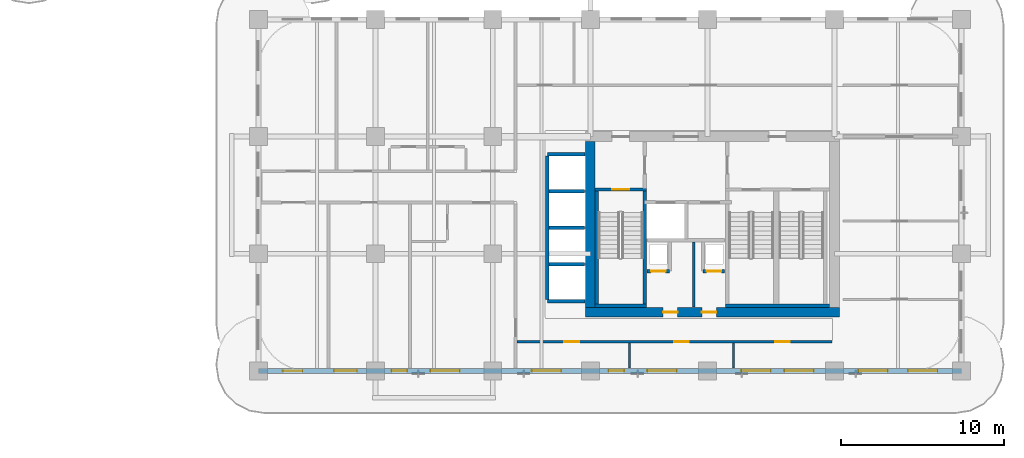
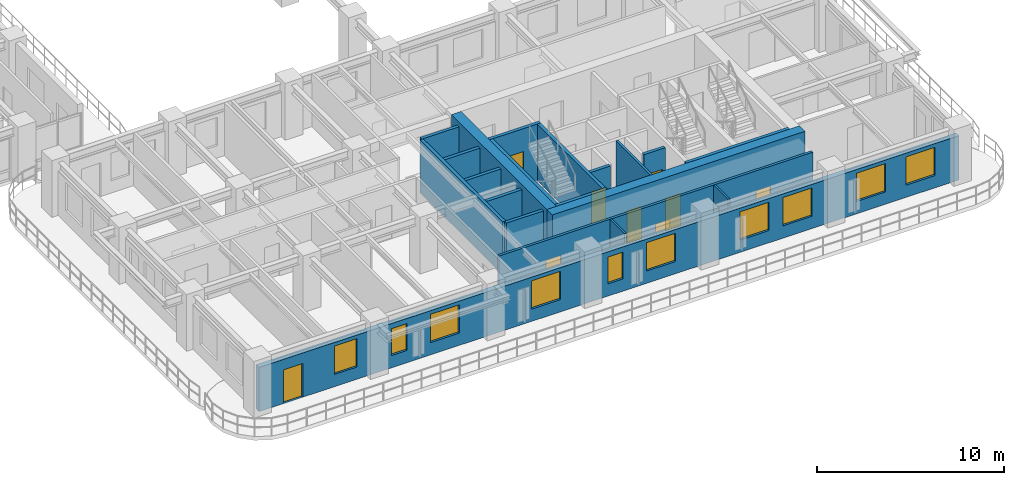
# One storey, part 8 of 19: 20 walls, 10 windows, 9 doors, 19 openings.
"""IFC4 building model written with IfcOpenShell, lengths in metres."""

from ifc_helpers import new_model, si_unit, derived_unit, direction, frame, frame_2d, origin, place, context, subcontext, project, spatial, rectangle, extrude, source, transform, mapped, material, layer, layer_set, type_object, type_shapes, element, fill, save


model = new_model("IFC4")

# Units and contexts
model_context = context("Model", 3, precision=1e-05, world=origin(), true_north=direction((0.0, 1.0)))
body_context = subcontext(model_context, "Body", "Model", "MODEL_VIEW")
ifc_project = project(units=[si_unit("LENGTHUNIT", "METRE"), si_unit("AREAUNIT", "SQUARE_METRE"), si_unit("VOLUMEUNIT", "CUBIC_METRE"), si_unit("PLANEANGLEUNIT", "RADIAN"), si_unit("MASSUNIT", "GRAM", prefix="KILO"), si_unit("THERMODYNAMICTEMPERATUREUNIT", "KELVIN"), si_unit("POWERUNIT", "WATT"), derived_unit("THERMALTRANSMITTANCEUNIT", [(si_unit("POWERUNIT", "WATT"), 1), (si_unit("AREAUNIT", "SQUARE_METRE"), -1), (si_unit("THERMODYNAMICTEMPERATUREUNIT", "KELVIN"), -1)])], contexts=[model_context])

# Site, building, storey
site_placement = place(None, origin())
site = spatial("IfcSite", under=ifc_project, at=site_placement, CompositionType="ELEMENT")
building_placement = place(site_placement, origin())
building = spatial("IfcBuilding", under=site, at=building_placement, Name="Zahravan Archway Hotel and Residences", CompositionType="ELEMENT")
storey_placement = place(building_placement, frame((0.0, 0.0, 54.60009765625)))
storey = spatial("IfcBuildingStorey", under=building, at=storey_placement, Name="L12", CompositionType="ELEMENT", Elevation=54.60009765625)

# Wall, openings, doors
ifc_material_1 = material(Name="Concrete C70/85", Category="concrete")
ifc_layer_1 = layer(ifc_material_1, 0.60009765625, Name="Concrete C70/85", Category="concrete")
ifc_layer_set_1 = layer_set([ifc_layer_1], Name="Concrete C70/85")
wall_type_1 = type_object("IfcWallType", Name="CW-CORE-600", PredefinedType="SHEAR", material=ifc_layer_set_1)
wall_1_placement = place(storey_placement, frame((34.5, 3.60009765625, 0.0), z_axis=(0.0, 0.0, 1.0), x_axis=(1.0, 0.0, 0.0)))
wall_1 = element("IfcWall", 1, at=wall_1_placement, inside=storey, type_object=wall_type_1, Name="L12 Core A Shear S Wall 600 mm", PredefinedType="SHEAR", context=body_context, shape_type="SweptSolid", body=[
    extrude(rectangle(XDim=15.60009765625, YDim=0.60009765625, at=frame_2d((7.800048828125, 0.0))), origin(), (0.0, 0.0, 1.0), 3.699951171875),
])
opening_1_placement = place(wall_1_placement, frame((4.77001953125, 0.0, 0.0)))
opening_1 = element("IfcOpeningElement", 2, at=opening_1_placement, cuts=wall_1, Name="Opening FD-R1", PredefinedType="OPENING", context=body_context, shape_type="SweptSolid", body=[
    extrude(rectangle(XDim=0.89990234375, YDim=2.10009765625, at=frame_2d((0.449951171875, 1.050048828125))), frame((0.0, 0.31005859375, 0.0), z_axis=(0.0, -1.0, 0.0), x_axis=(1.0, 0.0, 0.0)), (0.0, 0.0, 1.0), 0.6201171875),
])
opening_2_placement = place(wall_1_placement, frame((7.14990234375, 0.0, 0.0)))
opening_2 = element("IfcOpeningElement", 3, at=opening_2_placement, cuts=wall_1, Name="Opening FD-R1", PredefinedType="OPENING", context=body_context, shape_type="SweptSolid", body=[
    extrude(rectangle(XDim=0.89990234375, YDim=2.10009765625, at=frame_2d((0.449951171875, 1.050048828125))), frame((0.0, 0.31005859375, 0.0), z_axis=(0.0, -1.0, 0.0), x_axis=(1.0, 0.0, 0.0)), (0.0, 0.0, 1.0), 0.6201171875),
])
ifc_material_2 = material(Name="Fire-Rated Painted Steel", Category="steel")
door_type_1 = type_object("IfcDoorType", Name="FD-RISER-900", OperationType="NOTDEFINED", PredefinedType="DOOR", material=ifc_material_2)
shared_shape_1 = source(origin(), body_context, "Body", "SweptSolid", [
    extrude(rectangle(XDim=0.89990234375, YDim=2.10009765625, at=frame_2d((0.449951171875, 1.050048828125))), frame((0.0, 0.02490234375, 0.0), z_axis=(0.0, -1.0, 0.0), x_axis=(1.0, 0.0, 0.0)), (0.0, 0.0, 1.0), 0.050048828125),
])
type_shapes(door_type_1, [shared_shape_1])
door_1_placement = place(opening_1_placement, origin())
door_1 = element("IfcDoor", 4, at=door_1_placement, inside=storey, type_object=door_type_1, Name="L12 Fan Room Door", OperationType="SINGLE_SWING_RIGHT", OverallHeight=2.10009765625, OverallWidth=0.89990234375, PredefinedType="DOOR", context=body_context, shape_type="MappedRepresentation", body=[
    mapped(shared_shape_1, transform((0.0, 0.0, 0.0), scale=1.0)),
])
fill(opening_1, door_1)
door_2_placement = place(opening_2_placement, origin())
door_2 = element("IfcDoor", 5, at=door_2_placement, inside=storey, type_object=door_type_1, Name="L12 Sub-Meter Cupboard Door", OperationType="SINGLE_SWING_LEFT", OverallHeight=2.10009765625, OverallWidth=0.89990234375, PredefinedType="DOOR", context=body_context, shape_type="MappedRepresentation", body=[
    mapped(shared_shape_1, transform((0.0, 0.0, 0.0), scale=1.0)),
])
fill(opening_2, door_2)

# Wall
wall_2_placement = place(storey_placement, frame((34.800048828125, 3.89990234375, 0.0), z_axis=(0.0, 0.0, 1.0), x_axis=(0.0, 1.0, 0.0)))
element("IfcWall", 6, at=wall_2_placement, inside=storey, type_object=wall_type_1, Name="L12 Core A Shear W Wall 600 mm", PredefinedType="SHEAR", context=body_context, shape_type="SweptSolid", body=[
    extrude(rectangle(XDim=10.2001953125, YDim=0.60009765625, at=frame_2d((5.10009765625, 0.0))), origin(), (0.0, 0.0, 1.0), 3.699951171875),
])

# Wall, openings, door, windows
ifc_material_3 = material(Name="Agra Buff Sandstone & Insulated Backup", Category="masonry")
ifc_layer_2 = layer(ifc_material_3, 0.320068359375, Name="Agra Buff Sandstone & Insulated Backup", Category="masonry")
ifc_layer_set_2 = layer_set([ifc_layer_2], Name="Agra Buff Sandstone & Insulated Backup")
wall_type_2 = type_object("IfcWallType", Name="EW-SAND-320", PredefinedType="SOLIDWALL", material=ifc_layer_set_2)
wall_3_placement = place(storey_placement, frame((14.39990234375, 0.0, 0.0), z_axis=(0.0, 0.0, 1.0), x_axis=(1.0, 0.0, 0.0)))
wall_3 = element("IfcWall", 7, at=wall_3_placement, inside=storey, type_object=wall_type_2, Name="L12 Exterior Sandstone Wall WA-S", PredefinedType="SOLIDWALL", context=body_context, shape_type="SweptSolid", body=[
    extrude(rectangle(XDim=43.2001953125, YDim=0.320068359375, at=frame_2d((21.60009765625, 0.0))), origin(), (0.0, 0.0, 1.0), 2.885009765625),
])
opening_3_placement = place(wall_3_placement, frame((1.5, 0.0, 0.0)))
opening_3 = element("IfcOpeningElement", 8, at=opening_3_placement, cuts=wall_3, Name="Opening ED-BL1", PredefinedType="OPENING", context=body_context, shape_type="SweptSolid", body=[
    extrude(rectangle(XDim=1.199951171875, YDim=2.199951171875, at=frame_2d((0.60009765625, 1.10009765625))), frame((0.0, 0.169921875, 0.0), z_axis=(0.0, -1.0, 0.0), x_axis=(1.0, 0.0, 0.0)), (0.0, 0.0, 1.0), 0.340087890625),
])
opening_4_placement = place(wall_3_placement, frame((4.654052734375, 0.0, 0.800048828125)))
opening_4 = element("IfcOpeningElement", 9, at=opening_4_placement, cuts=wall_3, Name="Opening W-03", PredefinedType="OPENING", context=body_context, shape_type="SweptSolid", body=[
    extrude(rectangle(XDim=1.39990234375, YDim=1.85009765625, at=frame_2d((0.699951171875, 0.925048828125))), frame((0.0, 0.169921875, 0.0), z_axis=(0.0, -1.0, 0.0), x_axis=(1.0, 0.0, 0.0)), (0.0, 0.0, 1.0), 0.340087890625),
])
opening_5_placement = place(wall_3_placement, frame((8.180908203125, 0.0, 0.800048828125)))
opening_5 = element("IfcOpeningElement", 10, at=opening_5_placement, cuts=wall_3, Name="Opening W-04", PredefinedType="OPENING", context=body_context, shape_type="SweptSolid", body=[
    extrude(rectangle(XDim=0.949951171875, YDim=1.75, at=frame_2d((0.47509765625, 0.875))), frame((0.0, 0.169921875, 0.0), z_axis=(0.0, -1.0, 0.0), x_axis=(1.0, 0.0, 0.0)), (0.0, 0.0, 1.0), 0.340087890625),
])
opening_6_placement = place(wall_3_placement, frame((10.56396484375, 0.0, 0.800048828125)))
opening_6 = element("IfcOpeningElement", 11, at=opening_6_placement, cuts=wall_3, Name="Opening W-02", PredefinedType="OPENING", context=body_context, shape_type="SweptSolid", body=[
    extrude(rectangle(XDim=1.800048828125, YDim=1.85009765625, at=frame_2d((0.89990234375, 0.925048828125))), frame((0.0, 0.169921875, 0.0), z_axis=(0.0, -1.0, 0.0), x_axis=(1.0, 0.0, 0.0)), (0.0, 0.0, 1.0), 0.340087890625),
])
opening_7_placement = place(wall_3_placement, frame((16.803955078125, 0.0, 0.800048828125)))
opening_7 = element("IfcOpeningElement", 12, at=opening_7_placement, cuts=wall_3, Name="Opening W-02", PredefinedType="OPENING", context=body_context, shape_type="SweptSolid", body=[
    extrude(rectangle(XDim=1.800048828125, YDim=1.85009765625, at=frame_2d((0.89990234375, 0.925048828125))), frame((0.0, 0.169921875, 0.0), z_axis=(0.0, -1.0, 0.0), x_axis=(1.0, 0.0, 0.0)), (0.0, 0.0, 1.0), 0.340087890625),
])
opening_8_placement = place(wall_3_placement, frame((21.52099609375, 0.0, 0.800048828125)))
opening_8 = element("IfcOpeningElement", 13, at=opening_8_placement, cuts=wall_3, Name="Opening W-04", PredefinedType="OPENING", context=body_context, shape_type="SweptSolid", body=[
    extrude(rectangle(XDim=0.949951171875, YDim=1.75, at=frame_2d((0.47509765625, 0.875))), frame((0.0, 0.169921875, 0.0), z_axis=(0.0, -1.0, 0.0), x_axis=(1.0, 0.0, 0.0)), (0.0, 0.0, 1.0), 0.340087890625),
])
opening_9_placement = place(wall_3_placement, frame((23.904052734375, 0.0, 0.800048828125)))
opening_9 = element("IfcOpeningElement", 14, at=opening_9_placement, cuts=wall_3, Name="Opening W-02", PredefinedType="OPENING", context=body_context, shape_type="SweptSolid", body=[
    extrude(rectangle(XDim=1.800048828125, YDim=1.85009765625, at=frame_2d((0.89990234375, 0.925048828125))), frame((0.0, 0.169921875, 0.0), z_axis=(0.0, -1.0, 0.0), x_axis=(1.0, 0.0, 0.0)), (0.0, 0.0, 1.0), 0.340087890625),
])
opening_10_placement = place(wall_3_placement, frame((29.680908203125, 0.0, 0.800048828125)))
opening_10 = element("IfcOpeningElement", 15, at=opening_10_placement, cuts=wall_3, Name="Opening W-02", PredefinedType="OPENING", context=body_context, shape_type="SweptSolid", body=[
    extrude(rectangle(XDim=1.800048828125, YDim=1.85009765625, at=frame_2d((0.89990234375, 0.925048828125))), frame((0.0, 0.169921875, 0.0), z_axis=(0.0, -1.0, 0.0), x_axis=(1.0, 0.0, 0.0)), (0.0, 0.0, 1.0), 0.340087890625),
])
opening_11_placement = place(wall_3_placement, frame((32.326904296875, 0.0, 0.800048828125)))
opening_11 = element("IfcOpeningElement", 16, at=opening_11_placement, cuts=wall_3, Name="Opening W-02", PredefinedType="OPENING", context=body_context, shape_type="SweptSolid", body=[
    extrude(rectangle(XDim=1.800048828125, YDim=1.85009765625, at=frame_2d((0.89990234375, 0.925048828125))), frame((0.0, 0.169921875, 0.0), z_axis=(0.0, -1.0, 0.0), x_axis=(1.0, 0.0, 0.0)), (0.0, 0.0, 1.0), 0.340087890625),
])
opening_12_placement = place(wall_3_placement, frame((36.875, 0.0, 0.800048828125)))
opening_12 = element("IfcOpeningElement", 17, at=opening_12_placement, cuts=wall_3, Name="Opening W-02", PredefinedType="OPENING", context=body_context, shape_type="SweptSolid", body=[
    extrude(rectangle(XDim=1.800048828125, YDim=1.85009765625, at=frame_2d((0.89990234375, 0.925048828125))), frame((0.0, 0.169921875, 0.0), z_axis=(0.0, -1.0, 0.0), x_axis=(1.0, 0.0, 0.0)), (0.0, 0.0, 1.0), 0.340087890625),
])
opening_13_placement = place(wall_3_placement, frame((39.925048828125, 0.0, 0.800048828125)))
opening_13 = element("IfcOpeningElement", 18, at=opening_13_placement, cuts=wall_3, Name="Opening W-02", PredefinedType="OPENING", context=body_context, shape_type="SweptSolid", body=[
    extrude(rectangle(XDim=1.800048828125, YDim=1.85009765625, at=frame_2d((0.89990234375, 0.925048828125))), frame((0.0, 0.169921875, 0.0), z_axis=(0.0, -1.0, 0.0), x_axis=(1.0, 0.0, 0.0)), (0.0, 0.0, 1.0), 0.340087890625),
])
ifc_material_4 = material(Name="Bronze-Anodized Glazed Aluminium", Category="aluminium")
door_type_2 = type_object("IfcDoorType", Name="ED-BALC-1200", OperationType="SLIDING_TO_LEFT", PredefinedType="DOOR", material=ifc_material_4)
shared_shape_2 = source(origin(), body_context, "Body", "SweptSolid", [
    extrude(rectangle(XDim=1.199951171875, YDim=2.199951171875, at=frame_2d((0.60009765625, 1.10009765625))), frame((0.0, 0.02490234375, 0.0), z_axis=(0.0, -1.0, 0.0), x_axis=(1.0, 0.0, 0.0)), (0.0, 0.0, 1.0), 0.050048828125),
])
type_shapes(door_type_2, [shared_shape_2])
door_3_placement = place(opening_3_placement, origin())
door_3 = element("IfcDoor", 19, at=door_3_placement, inside=storey, type_object=door_type_2, Name="L12 Outdoor Access Sliding Door (SLB-BAL-L12-SA)", OperationType="SLIDING_TO_LEFT", OverallHeight=2.199951171875, OverallWidth=1.199951171875, PredefinedType="DOOR", context=body_context, shape_type="MappedRepresentation", body=[
    mapped(shared_shape_2, transform((0.0, 0.0, 0.0), scale=1.0)),
])
fill(opening_3, door_3)
ifc_material_5 = material(Name="Bronze-Anodized Thermal-Break Aluminium & Low-E Glass", Category="aluminium")
window_type_1 = type_object("IfcWindowType", Name="WIN-TWR-1400", PartitioningType="SINGLE_PANEL", PredefinedType="WINDOW", material=ifc_material_5)
shared_shape_3 = source(origin(), body_context, "Body", "SweptSolid", [
    extrude(rectangle(XDim=1.39990234375, YDim=1.85009765625, at=frame_2d((0.699951171875, 0.925048828125))), frame((0.0, 0.030029296875, 0.0), z_axis=(0.0, -1.0, 0.0), x_axis=(1.0, 0.0, 0.0)), (0.0, 0.0, 1.0), 0.06005859375),
])
type_shapes(window_type_1, [shared_shape_3])
window_1_placement = place(opening_4_placement, origin())
window_1 = element("IfcWindow", 20, at=window_1_placement, inside=storey, type_object=window_type_1, Name="L12 Loggia Window 01", OverallHeight=1.85009765625, OverallWidth=1.39990234375, PartitioningType="SINGLE_PANEL", PredefinedType="WINDOW", context=body_context, shape_type="MappedRepresentation", body=[
    mapped(shared_shape_3, transform((0.0, 0.0, 0.0), scale=1.0)),
])
fill(opening_4, window_1)
window_type_2 = type_object("IfcWindowType", Name="WIN-NAR-950", PartitioningType="SINGLE_PANEL", PredefinedType="WINDOW", material=ifc_material_5)
shared_shape_4 = source(origin(), body_context, "Body", "SweptSolid", [
    extrude(rectangle(XDim=0.949951171875, YDim=1.75, at=frame_2d((0.47509765625, 0.875))), frame((0.0, 0.030029296875, 0.0), z_axis=(0.0, -1.0, 0.0), x_axis=(1.0, 0.0, 0.0)), (0.0, 0.0, 1.0), 0.06005859375),
])
type_shapes(window_type_2, [shared_shape_4])
window_2_placement = place(opening_5_placement, origin())
window_2 = element("IfcWindow", 21, at=window_2_placement, inside=storey, type_object=window_type_2, Name="L12 Loggia Window 02", OverallHeight=1.75, OverallWidth=0.949951171875, PartitioningType="SINGLE_PANEL", PredefinedType="WINDOW", context=body_context, shape_type="MappedRepresentation", body=[
    mapped(shared_shape_4, transform((0.0, 0.0, 0.0), scale=1.0)),
])
fill(opening_5, window_2)
window_3_placement = place(opening_8_placement, origin())
window_3 = element("IfcWindow", 22, at=window_3_placement, inside=storey, type_object=window_type_2, Name="L12 Loggia Window 05", OverallHeight=1.75, OverallWidth=0.949951171875, PartitioningType="SINGLE_PANEL", PredefinedType="WINDOW", context=body_context, shape_type="MappedRepresentation", body=[
    mapped(shared_shape_4, transform((0.0, 0.0, 0.0), scale=1.0)),
])
fill(opening_8, window_3)
window_type_3 = type_object("IfcWindowType", Name="WIN-TWR-1800", PartitioningType="DOUBLE_PANEL_VERTICAL", PredefinedType="WINDOW", material=ifc_material_5)
shared_shape_5 = source(origin(), body_context, "Body", "SweptSolid", [
    extrude(rectangle(XDim=1.800048828125, YDim=1.85009765625, at=frame_2d((0.89990234375, 0.925048828125))), frame((0.0, 0.030029296875, 0.0), z_axis=(0.0, -1.0, 0.0), x_axis=(1.0, 0.0, 0.0)), (0.0, 0.0, 1.0), 0.06005859375),
])
type_shapes(window_type_3, [shared_shape_5])
window_4_placement = place(opening_6_placement, origin())
window_4 = element("IfcWindow", 23, at=window_4_placement, inside=storey, type_object=window_type_3, Name="L12 Loggia Window 03", OverallHeight=1.85009765625, OverallWidth=1.800048828125, PartitioningType="DOUBLE_PANEL_VERTICAL", PredefinedType="WINDOW", context=body_context, shape_type="MappedRepresentation", body=[
    mapped(shared_shape_5, transform((0.0, 0.0, 0.0), scale=1.0)),
])
fill(opening_6, window_4)
window_5_placement = place(opening_7_placement, origin())
window_5 = element("IfcWindow", 24, at=window_5_placement, inside=storey, type_object=window_type_3, Name="L12 Loggia Window 04", OverallHeight=1.85009765625, OverallWidth=1.800048828125, PartitioningType="DOUBLE_PANEL_VERTICAL", PredefinedType="WINDOW", context=body_context, shape_type="MappedRepresentation", body=[
    mapped(shared_shape_5, transform((0.0, 0.0, 0.0), scale=1.0)),
])
fill(opening_7, window_5)
window_6_placement = place(opening_9_placement, origin())
window_6 = element("IfcWindow", 25, at=window_6_placement, inside=storey, type_object=window_type_3, Name="L12 Loggia Window 06", OverallHeight=1.85009765625, OverallWidth=1.800048828125, PartitioningType="DOUBLE_PANEL_VERTICAL", PredefinedType="WINDOW", context=body_context, shape_type="MappedRepresentation", body=[
    mapped(shared_shape_5, transform((0.0, 0.0, 0.0), scale=1.0)),
])
fill(opening_9, window_6)
window_7_placement = place(opening_10_placement, origin())
window_7 = element("IfcWindow", 26, at=window_7_placement, inside=storey, type_object=window_type_3, Name="L12 Loggia Window 07", OverallHeight=1.85009765625, OverallWidth=1.800048828125, PartitioningType="DOUBLE_PANEL_VERTICAL", PredefinedType="WINDOW", context=body_context, shape_type="MappedRepresentation", body=[
    mapped(shared_shape_5, transform((0.0, 0.0, 0.0), scale=1.0)),
])
fill(opening_10, window_7)
window_8_placement = place(opening_11_placement, origin())
window_8 = element("IfcWindow", 27, at=window_8_placement, inside=storey, type_object=window_type_3, Name="L12 Loggia Window 08", OverallHeight=1.85009765625, OverallWidth=1.800048828125, PartitioningType="DOUBLE_PANEL_VERTICAL", PredefinedType="WINDOW", context=body_context, shape_type="MappedRepresentation", body=[
    mapped(shared_shape_5, transform((0.0, 0.0, 0.0), scale=1.0)),
])
fill(opening_11, window_8)
window_9_placement = place(opening_12_placement, origin())
window_9 = element("IfcWindow", 28, at=window_9_placement, inside=storey, type_object=window_type_3, Name="L12 Loggia Window 09", OverallHeight=1.85009765625, OverallWidth=1.800048828125, PartitioningType="DOUBLE_PANEL_VERTICAL", PredefinedType="WINDOW", context=body_context, shape_type="MappedRepresentation", body=[
    mapped(shared_shape_5, transform((0.0, 0.0, 0.0), scale=1.0)),
])
fill(opening_12, window_9)
window_10_placement = place(opening_13_placement, origin())
window_10 = element("IfcWindow", 29, at=window_10_placement, inside=storey, type_object=window_type_3, Name="L12 Loggia Window 10", OverallHeight=1.85009765625, OverallWidth=1.800048828125, PartitioningType="DOUBLE_PANEL_VERTICAL", PredefinedType="WINDOW", context=body_context, shape_type="MappedRepresentation", body=[
    mapped(shared_shape_5, transform((0.0, 0.0, 0.0), scale=1.0)),
])
fill(opening_13, window_10)

# Wall, openings, doors
ifc_material_6 = material(Name="Fire-Rated Gypsum & Concrete Block", Category="concrete")
ifc_layer_3 = layer(ifc_material_6, 0.159912109375, Name="Fire-Rated Gypsum & Concrete Block", Category="concrete")
ifc_layer_set_3 = layer_set([ifc_layer_3], Name="Fire-Rated Gypsum & Concrete Block")
wall_type_3 = type_object("IfcWallType", Name="PW-CORR-160", PredefinedType="PARTITIONING", material=ifc_layer_set_3)
wall_4_placement = place(storey_placement, frame((30.2900390625, 1.800048828125, 0.0), z_axis=(0.0, 0.0, 1.0), x_axis=(1.0, 0.0, 0.0)))
wall_4 = element("IfcWall", 30, at=wall_4_placement, inside=storey, type_object=wall_type_3, Name="L12 Partition WA-SRS", PredefinedType="PARTITIONING", context=body_context, shape_type="SweptSolid", body=[
    extrude(rectangle(XDim=19.369873046875, YDim=0.159912109375, at=frame_2d((9.68505859375, 0.0))), origin(), (0.0, 0.0, 1.0), 3.449951171875),
])
opening_14_placement = place(wall_4_placement, frame((2.916259765625, 0.0, 0.0)))
opening_14 = element("IfcOpeningElement", 31, at=opening_14_placement, cuts=wall_4, Name="Opening D-I2", PredefinedType="OPENING", context=body_context, shape_type="SweptSolid", body=[
    extrude(rectangle(XDim=0.89990234375, YDim=2.14990234375, at=frame_2d((0.449951171875, 1.074951171875))), frame((0.0, 0.08984375, 0.0), z_axis=(0.0, -1.0, 0.0), x_axis=(1.0, 0.0, 0.0)), (0.0, 0.0, 1.0), 0.179931640625),
])
opening_15_placement = place(wall_4_placement, frame((9.659912109375, 0.0, 0.0)))
opening_15 = element("IfcOpeningElement", 32, at=opening_15_placement, cuts=wall_4, Name="Opening D-I2", PredefinedType="OPENING", context=body_context, shape_type="SweptSolid", body=[
    extrude(rectangle(XDim=0.89990234375, YDim=2.14990234375, at=frame_2d((0.449951171875, 1.074951171875))), frame((0.0, 0.08984375, 0.0), z_axis=(0.0, -1.0, 0.0), x_axis=(1.0, 0.0, 0.0)), (0.0, 0.0, 1.0), 0.179931640625),
])
opening_16_placement = place(wall_4_placement, frame((15.860107421875, 0.0, 0.0)))
opening_16 = element("IfcOpeningElement", 33, at=opening_16_placement, cuts=wall_4, Name="Opening D-I2", PredefinedType="OPENING", context=body_context, shape_type="SweptSolid", body=[
    extrude(rectangle(XDim=0.89990234375, YDim=2.14990234375, at=frame_2d((0.449951171875, 1.074951171875))), frame((0.0, 0.08984375, 0.0), z_axis=(0.0, -1.0, 0.0), x_axis=(1.0, 0.0, 0.0)), (0.0, 0.0, 1.0), 0.179931640625),
])
ifc_material_7 = material(Name="Hardwood Veneer Timber", Category="wood")
door_type_3 = type_object("IfcDoorType", Name="ID-INT-900", OperationType="NOTDEFINED", PredefinedType="DOOR", material=ifc_material_7)
shared_shape_6 = source(origin(), body_context, "Body", "SweptSolid", [
    extrude(rectangle(XDim=0.89990234375, YDim=2.14990234375, at=frame_2d((0.449951171875, 1.074951171875))), frame((0.0, 0.02490234375, 0.0), z_axis=(0.0, -1.0, 0.0), x_axis=(1.0, 0.0, 0.0)), (0.0, 0.0, 1.0), 0.050048828125),
])
type_shapes(door_type_3, [shared_shape_6])
door_4_placement = place(opening_14_placement, origin())
door_4 = element("IfcDoor", 34, at=door_4_placement, inside=storey, type_object=door_type_3, Name="L12 South Office Door", OperationType="SINGLE_SWING_RIGHT", OverallHeight=2.14990234375, OverallWidth=0.89990234375, PredefinedType="DOOR", context=body_context, shape_type="MappedRepresentation", body=[
    mapped(shared_shape_6, transform((0.0, 0.0, 0.0), scale=1.0)),
])
fill(opening_14, door_4)
door_5_placement = place(opening_15_placement, origin())
door_5 = element("IfcDoor", 35, at=door_5_placement, inside=storey, type_object=door_type_3, Name="L12 South Meeting Door", OperationType="SINGLE_SWING_LEFT", OverallHeight=2.14990234375, OverallWidth=0.89990234375, PredefinedType="DOOR", context=body_context, shape_type="MappedRepresentation", body=[
    mapped(shared_shape_6, transform((0.0, 0.0, 0.0), scale=1.0)),
])
fill(opening_15, door_5)
door_6_placement = place(opening_16_placement, origin())
door_6 = element("IfcDoor", 36, at=door_6_placement, inside=storey, type_object=door_type_3, Name="L12 South Prayer Alcove Door", OperationType="SINGLE_SWING_RIGHT", OverallHeight=2.14990234375, OverallWidth=0.89990234375, PredefinedType="DOOR", context=body_context, shape_type="MappedRepresentation", body=[
    mapped(shared_shape_6, transform((0.0, 0.0, 0.0), scale=1.0)),
])
fill(opening_16, door_6)

# Walls
ifc_material_8 = material(Name="Acoustic Stud Partition")
ifc_layer_4 = layer(ifc_material_8, 0.125, Name="Acoustic Stud Partition")
ifc_layer_set_4 = layer_set([ifc_layer_4], Name="Acoustic Stud Partition")
wall_type_4 = type_object("IfcWallType", Name="PW-INT-125", PredefinedType="PARTITIONING", material=ifc_layer_set_4)
for number, where, z_axis, x_axis, name in (
    (37, (37.199951171875, 0.16796875, 0.0), (0.0, 0.0, 1.0), (0.0, 1.0, 0.0), "L12 Partition S-DIV2A"),
    (38, (43.60009765625, 0.16796875, 0.0), (0.0, 0.0, 1.0), (0.0, 1.0, 0.0), "L12 Partition S-DIV2B"),
):
    element("IfcWall", number, at=place(storey_placement, frame(where, z_axis=z_axis, x_axis=x_axis)), inside=storey, type_object=wall_type_4, Name=name, PredefinedType="PARTITIONING", context=body_context, shape_type="SweptSolid", body=[
        extrude(rectangle(XDim=1.5419921875, YDim=0.125, at=frame_2d((0.77099609375, 0.0))), origin(), (0.0, 0.0, 1.0), 3.449951171875),
    ])

# Wall, opening, door
ifc_layer_5 = layer(ifc_material_6, 0.199951171875, Name="Fire-Rated Gypsum & Concrete Block", Category="concrete")
ifc_layer_set_5 = layer_set([ifc_layer_5], Name="Fire-Rated Gypsum & Concrete Block")
wall_type_5 = type_object("IfcWallType", Name="PW-SHAFT-200", PredefinedType="PARTITIONING", material=ifc_layer_set_5)
wall_5_placement = place(storey_placement, frame((38.2900390625, 6.1201171875, 0.0), z_axis=(0.0, 0.0, 1.0), x_axis=(1.0, 0.0, 0.0)))
wall_5 = element("IfcWall", 39, at=wall_5_placement, inside=storey, type_object=wall_type_5, Name="L12 Partition CA-SMKS", PredefinedType="PARTITIONING", context=body_context, shape_type="SweptSolid", body=[
    extrude(rectangle(XDim=1.3798828125, YDim=0.199951171875, at=frame_2d((0.68994140625, 0.0))), origin(), (0.0, 0.0, 1.0), 3.449951171875),
])
opening_17_placement = place(wall_5_placement, frame((0.239990234375, 0.0, 0.0)))
opening_17 = element("IfcOpeningElement", 40, at=opening_17_placement, cuts=wall_5, Name="Opening FD-R1", PredefinedType="OPENING", context=body_context, shape_type="SweptSolid", body=[
    extrude(rectangle(XDim=0.89990234375, YDim=2.10009765625, at=frame_2d((0.449951171875, 1.050048828125))), frame((0.0, 0.10986328125, 0.0), z_axis=(0.0, -1.0, 0.0), x_axis=(1.0, 0.0, 0.0)), (0.0, 0.0, 1.0), 0.219970703125),
])
door_7_placement = place(opening_17_placement, origin())
door_7 = element("IfcDoor", 41, at=door_7_placement, inside=storey, type_object=door_type_1, Name="L12 Smoke Riser Access Door", OperationType="SINGLE_SWING_RIGHT", OverallHeight=2.10009765625, OverallWidth=0.89990234375, PredefinedType="DOOR", context=body_context, shape_type="MappedRepresentation", body=[
    mapped(shared_shape_1, transform((0.0, 0.0, 0.0), scale=1.0)),
])
fill(opening_17, door_7)

wall_6_placement = place(storey_placement, frame((41.72998046875, 6.1201171875, 0.0), z_axis=(0.0, 0.0, 1.0), x_axis=(1.0, 0.0, 0.0)))
wall_6 = element("IfcWall", 42, at=wall_6_placement, inside=storey, type_object=wall_type_5, Name="L12 Partition CA-MEPS", PredefinedType="PARTITIONING", context=body_context, shape_type="SweptSolid", body=[
    extrude(rectangle(XDim=1.320068359375, YDim=0.199951171875, at=frame_2d((0.66015625, 0.0))), origin(), (0.0, 0.0, 1.0), 3.449951171875),
])
opening_18_placement = place(wall_6_placement, frame((0.219970703125, 0.0, 0.0)))
opening_18 = element("IfcOpeningElement", 43, at=opening_18_placement, cuts=wall_6, Name="Opening FD-R1", PredefinedType="OPENING", context=body_context, shape_type="SweptSolid", body=[
    extrude(rectangle(XDim=0.89990234375, YDim=2.10009765625, at=frame_2d((0.449951171875, 1.050048828125))), frame((0.0, 0.10986328125, 0.0), z_axis=(0.0, -1.0, 0.0), x_axis=(1.0, 0.0, 0.0)), (0.0, 0.0, 1.0), 0.219970703125),
])
door_8_placement = place(opening_18_placement, origin())
door_8 = element("IfcDoor", 44, at=door_8_placement, inside=storey, type_object=door_type_1, Name="L12 MEP Riser Access Door", OperationType="SINGLE_SWING_LEFT", OverallHeight=2.10009765625, OverallWidth=0.89990234375, PredefinedType="DOOR", context=body_context, shape_type="MappedRepresentation", body=[
    mapped(shared_shape_1, transform((0.0, 0.0, 0.0), scale=1.0)),
])
fill(opening_18, door_8)

# Walls
for number, where, z_axis, x_axis, name in (
    (45, (32.159912109375, 4.280029296875, 0.0), (0.0, 0.0, 1.0), (1.0, 0.0, 0.0), "L12 Partition B3-S"),
    (46, (32.159912109375, 13.320068359375, 0.0), (0.0, 0.0, 1.0), (1.0, 0.0, 0.0), "L12 Partition B3-N"),
):
    element("IfcWall", number, at=place(storey_placement, frame(where, z_axis=z_axis, x_axis=x_axis)), inside=storey, type_object=wall_type_5, Name=name, PredefinedType="PARTITIONING", context=body_context, shape_type="SweptSolid", body=[
        extrude(rectangle(XDim=2.31005859375, YDim=0.199951171875, at=frame_2d((1.155029296875, 0.0))), origin(), (0.0, 0.0, 1.0), 3.449951171875),
    ])
wall_7_placement = place(storey_placement, frame((32.14990234375, 4.389892578125, 0.0), z_axis=(0.0, 0.0, 1.0), x_axis=(0.0, 1.0, 0.0)))
element("IfcWall", 47, at=wall_7_placement, inside=storey, type_object=wall_type_5, Name="L12 Partition B3-W", PredefinedType="PARTITIONING", context=body_context, shape_type="SweptSolid", body=[
    extrude(rectangle(XDim=8.820068359375, YDim=0.199951171875, at=frame_2d((4.41015625, 0.0))), origin(), (0.0, 0.0, 1.0), 3.449951171875),
])
for number, where, z_axis, x_axis, name in (
    (48, (32.260009765625, 6.56005859375, 0.0), (0.0, 0.0, 1.0), (1.0, 0.0, 0.0), "L12 Partition B3-D"),
    (49, (32.260009765625, 8.800048828125, 0.0), (0.0, 0.0, 1.0), (1.0, 0.0, 0.0), "L12 Partition B3-D"),
    (50, (32.260009765625, 11.0400390625, 0.0), (0.0, 0.0, 1.0), (1.0, 0.0, 0.0), "L12 Partition B3-D"),
):
    element("IfcWall", number, at=place(storey_placement, frame(where, z_axis=z_axis, x_axis=x_axis)), inside=storey, type_object=wall_type_5, Name=name, PredefinedType="PARTITIONING", context=body_context, shape_type="SweptSolid", body=[
        extrude(rectangle(XDim=2.179931640625, YDim=0.199951171875, at=frame_2d((1.08984375, 0.0))), origin(), (0.0, 0.0, 1.0), 3.449951171875),
    ])
ifc_material_9 = material(Name="Moisture-Resistant Blockwork", Category="masonry")
ifc_layer_6 = layer(ifc_material_9, 0.139892578125, Name="Moisture-Resistant Blockwork", Category="masonry")
ifc_layer_set_6 = layer_set([ifc_layer_6], Name="Moisture-Resistant Blockwork")
wall_type_6 = type_object("IfcWallType", Name="PW-WET-140", PredefinedType="PARTITIONING", material=ifc_layer_set_6)
wall_8_placement = place(storey_placement, frame((41.14990234375, 3.919921875, 0.0), z_axis=(0.0, 0.0, 1.0), x_axis=(0.0, 1.0, 0.0)))
element("IfcWall", 51, at=wall_8_placement, inside=storey, type_object=wall_type_6, Name="L12 Partition CA-CV2V", PredefinedType="PARTITIONING", context=body_context, shape_type="SweptSolid", body=[
    extrude(rectangle(XDim=3.989990234375, YDim=0.139892578125, at=frame_2d((1.9951171875, 0.0))), origin(), (0.0, 0.0, 1.0), 3.449951171875),
])
ifc_material_10 = material(Name="Concrete C50/60", Category="concrete")
ifc_layer_7 = layer(ifc_material_10, 0.199951171875, Name="Concrete C50/60", Category="concrete")
ifc_layer_set_7 = layer_set([ifc_layer_7], Name="Concrete C50/60")
wall_type_7 = type_object("IfcWallType", Name="SW-STAIR-200", PredefinedType="SHEAR", material=ifc_layer_set_7)
wall_9_placement = place(storey_placement, frame((35.10009765625, 4.0, 0.0), z_axis=(0.0, 0.0, 1.0), x_axis=(1.0, 0.0, 0.0)))
element("IfcWall", 52, at=wall_9_placement, inside=storey, type_object=wall_type_7, Name="L12 Stairwell RC Wall CA-SA1S", PredefinedType="SHEAR", context=body_context, shape_type="SweptSolid", body=[
    extrude(rectangle(XDim=3.139892578125, YDim=0.199951171875, at=frame_2d((1.56982421875, 0.0))), origin(), (0.0, 0.0, 1.0), 3.699951171875),
])
for number, where, z_axis, x_axis, name in (
    (53, (35.199951171875, 4.10009765625, 0.0), (0.0, 0.0, 1.0), (0.0, 1.0, 0.0), "L12 Stairwell RC Wall CA-SA1W"),
    (54, (38.139892578125, 4.10009765625, 0.0), (0.0, 0.0, 1.0), (0.0, 1.0, 0.0), "L12 Stairwell RC Wall CA-SA1E"),
):
    element("IfcWall", number, at=place(storey_placement, frame(where, z_axis=z_axis, x_axis=x_axis)), inside=storey, type_object=wall_type_7, Name=name, PredefinedType="SHEAR", context=body_context, shape_type="SweptSolid", body=[
        extrude(rectangle(XDim=6.949951171875, YDim=0.199951171875, at=frame_2d((3.47509765625, 0.0))), origin(), (0.0, 0.0, 1.0), 3.699951171875),
    ])

# Wall, opening, door
wall_10_placement = place(storey_placement, frame((35.10009765625, 11.14990234375, 0.0), z_axis=(0.0, 0.0, 1.0), x_axis=(1.0, 0.0, 0.0)))
wall_10 = element("IfcWall", 55, at=wall_10_placement, inside=storey, type_object=wall_type_7, Name="L12 Stairwell RC Wall CA-SA1N", PredefinedType="SHEAR", context=body_context, shape_type="SweptSolid", body=[
    extrude(rectangle(XDim=3.139892578125, YDim=0.199951171875, at=frame_2d((1.56982421875, 0.0))), origin(), (0.0, 0.0, 1.0), 3.699951171875),
])
opening_19_placement = place(wall_10_placement, frame((1.044921875, 0.0, 0.0)))
opening_19 = element("IfcOpeningElement", 56, at=opening_19_placement, cuts=wall_10, Name="Opening FD-S1", PredefinedType="OPENING", context=body_context, shape_type="SweptSolid", body=[
    extrude(rectangle(XDim=1.050048828125, YDim=2.199951171875, at=frame_2d((0.52490234375, 1.10009765625))), frame((0.0, 0.10986328125, 0.0), z_axis=(0.0, -1.0, 0.0), x_axis=(1.0, 0.0, 0.0)), (0.0, 0.0, 1.0), 0.219970703125),
])
door_type_4 = type_object("IfcDoorType", Name="FD-STAIR-1100", OperationType="NOTDEFINED", PredefinedType="DOOR", material=ifc_material_2)
shared_shape_7 = source(origin(), body_context, "Body", "SweptSolid", [
    extrude(rectangle(XDim=1.050048828125, YDim=2.199951171875, at=frame_2d((0.52490234375, 1.10009765625))), frame((0.0, 0.02490234375, 0.0), z_axis=(0.0, -1.0, 0.0), x_axis=(1.0, 0.0, 0.0)), (0.0, 0.0, 1.0), 0.050048828125),
])
type_shapes(door_type_4, [shared_shape_7])
door_9_placement = place(opening_19_placement, origin())
door_9 = element("IfcDoor", 57, at=door_9_placement, inside=storey, type_object=door_type_4, Name="L12 Stair ST-A1 Door", OperationType="SINGLE_SWING_LEFT", OverallHeight=2.199951171875, OverallWidth=1.050048828125, PredefinedType="DOOR", context=body_context, shape_type="MappedRepresentation", body=[
    mapped(shared_shape_7, transform((0.0, 0.0, 0.0), scale=1.0)),
])
fill(opening_19, door_9)

# Wall
wall_11_placement = place(storey_placement, frame((43.1201171875, 4.0, 0.0), z_axis=(0.0, 0.0, 1.0), x_axis=(1.0, 0.0, 0.0)))
element("IfcWall", 58, at=wall_11_placement, inside=storey, type_object=wall_type_7, Name="L12 Stairwell RC Wall CA-SA23S", PredefinedType="SHEAR", context=body_context, shape_type="SweptSolid", body=[
    extrude(rectangle(XDim=6.3798828125, YDim=0.199951171875, at=frame_2d((3.18994140625, 0.0))), origin(), (0.0, 0.0, 1.0), 3.699951171875),
])

save(model, "model.ifc")
